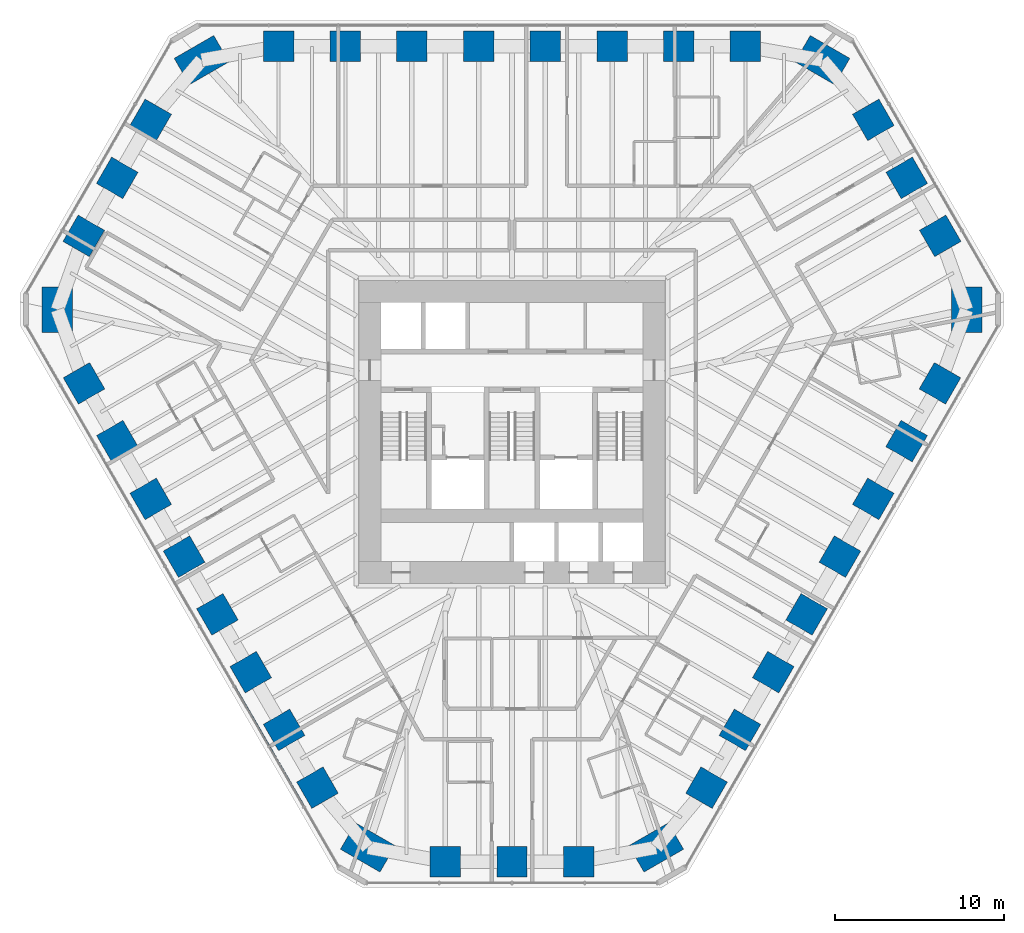
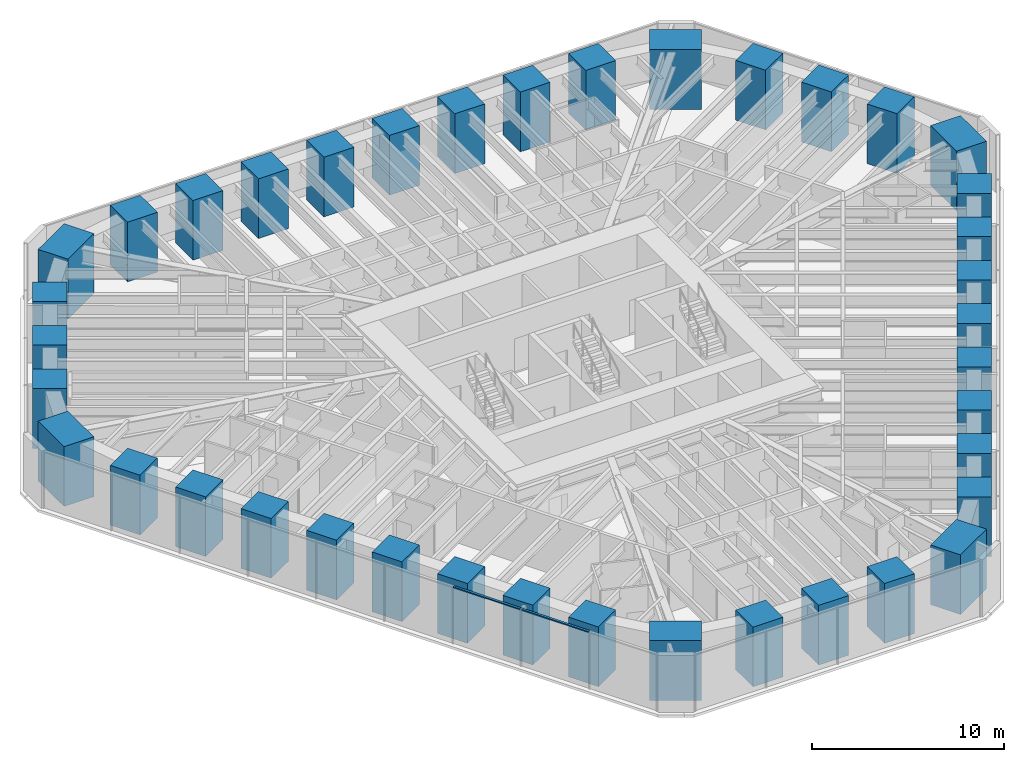
# One storey, part 1 of 16: 39 columns, 2 members, 1 element without a shape of its own.
"""IFC4 building model written with IfcOpenShell, lengths in metres."""

from ifc_helpers import new_model, si_unit, direction, frame, origin, origin_2d, place, context, subcontext, project, spatial, rectangle, extrude, material, material_profile, profile_set, type_object, element, aggregate, save


model = new_model("IFC4")

# Units and contexts
model_context = context("Model", 3, precision=1e-05, world=origin(), true_north=direction((0.0, 1.0)))
body_context = subcontext(model_context, "Body", "Model", "MODEL_VIEW")
ifc_project = project(units=[si_unit("LENGTHUNIT", "METRE"), si_unit("AREAUNIT", "SQUARE_METRE"), si_unit("VOLUMEUNIT", "CUBIC_METRE"), si_unit("PLANEANGLEUNIT", "RADIAN"), si_unit("MASSUNIT", "GRAM", prefix="KILO")], contexts=[model_context])

# Site, building, storey
site_placement = place(None, origin())
site = spatial("IfcSite", under=ifc_project, at=site_placement, CompositionType="ELEMENT")
building_placement = place(site_placement, origin())
building = spatial("IfcBuilding", under=site, at=building_placement, Name="Sandreach Pilgrim Tower", CompositionType="ELEMENT")
storey_placement = place(building_placement, frame((0.0, 0.0, 134.800048828125)))
storey = spatial("IfcBuildingStorey", under=building, at=storey_placement, Name="L33", CompositionType="ELEMENT", Elevation=134.800048828125)

# Columns
ifc_material_1 = material(Name="Concrete 10000 psi", Category="concrete")
ifc_material_profile_1 = material_profile(ifc_material_1, rectangle(XDim=1.800048828125, YDim=1.800048828125, at=origin_2d()), Name="RC1800X1800")
ifc_profile_set_1 = profile_set([ifc_material_profile_1], Name="Concrete 10000 psi")
column_type_1 = type_object("IfcColumnType", Name="Tube column RC1800X1800", PredefinedType="COLUMN", material=ifc_profile_set_1)
for number, where, z_axis, x_axis, name in (
    (1, (-13.789794921875, 21.23388671875, 0.0), (0.0, 0.0, 1.0), (0.0, 1.0, 0.0), "COL L33 T01"),
    (2, (-9.849853515625, 21.23388671875, 0.0), (0.0, 0.0, 1.0), (0.0, 1.0, 0.0), "COL L33 T02"),
    (3, (-5.909912109375, 21.23388671875, 0.0), (0.0, 0.0, 1.0), (0.0, 1.0, 0.0), "COL L33 T03"),
    (4, (-1.969970703125, 21.23388671875, 0.0), (0.0, 0.0, 1.0), (0.0, 1.0, 0.0), "COL L33 T04"),
    (5, (1.969970703125, 21.23388671875, 0.0), (0.0, 0.0, 1.0), (0.0, 1.0, 0.0), "COL L33 T05"),
    (6, (5.909912109375, 21.23388671875, 0.0), (0.0, 0.0, 1.0), (0.0, 1.0, 0.0), "COL L33 T06"),
    (7, (9.849853515625, 21.23388671875, 0.0), (0.0, 0.0, 1.0), (0.0, 1.0, 0.0), "COL L33 T07"),
    (8, (13.789794921875, 21.23388671875, 0.0), (0.0, 0.0, 1.0), (0.0, 1.0, 0.0), "COL L33 T08"),
    (9, (21.346435546875, 16.891357421875, 0.0), (0.0, 0.0, 1.0), (0.866025403784, 0.5, 0.0), "COL L33 T10"),
    (10, (23.323974609375, 13.466064453125, 0.0), (0.0, 0.0, 1.0), (0.866025403784, 0.5, 0.0), "COL L33 T11"),
    (11, (25.301513671875, 10.040771484375, 0.0), (0.0, 0.0, 1.0), (0.866025403784, 0.5, 0.0), "COL L33 T12"),
    (12, (25.283935546875, 1.325439453125, 0.0), (0.0, 0.0, 1.0), (0.866025403784, -0.5, 0.0), "COL L33 T14"),
    (13, (23.31396484375, -2.086669921875, 0.0), (0.0, 0.0, 1.0), (0.866025403784, -0.5, 0.0), "COL L33 T15"),
    (14, (21.343994140625, -5.498779296875, 0.0), (0.0, 0.0, 1.0), (0.866025403784, -0.5, 0.0), "COL L33 T16"),
    (15, (19.3740234375, -8.910888671875, 0.0), (0.0, 0.0, 1.0), (0.866025403784, -0.5, 0.0), "COL L33 T17"),
    (16, (17.404052734375, -12.322998046875, 0.0), (0.0, 0.0, 1.0), (0.866025403784, -0.5, 0.0), "COL L33 T18"),
    (17, (15.43408203125, -15.735107421875, 0.0), (0.0, 0.0, 1.0), (0.866025403784, -0.5, 0.0), "COL L33 T19"),
    (18, (13.464111328125, -19.147216796875, 0.0), (0.0, 0.0, 1.0), (0.866025403784, -0.5, 0.0), "COL L33 T20"),
    (19, (11.494140625, -22.559326171875, 0.0), (0.0, 0.0, 1.0), (0.866025403784, -0.5, 0.0), "COL L33 T21"),
    (20, (3.955322265625, -26.93212890625, 0.0), (0.0, 0.0, 1.0), (0.0, -1.0, 0.0), "COL L33 T23"),
    (21, (0.0, -26.93212890625, 0.0), (0.0, 0.0, 1.0), (0.0, -1.0, 0.0), "COL L33 T24"),
    (22, (-3.955322265625, -26.93212890625, 0.0), (0.0, 0.0, 1.0), (0.0, -1.0, 0.0), "COL L33 T25"),
    (23, (-11.494140625, -22.559326171875, 0.0), (0.0, 0.0, 1.0), (-0.866025403784, -0.5, 0.0), "COL L33 T27"),
    (24, (-13.464111328125, -19.147216796875, 0.0), (0.0, 0.0, 1.0), (-0.866025403784, -0.5, 0.0), "COL L33 T28"),
    (25, (-15.43408203125, -15.735107421875, 0.0), (0.0, 0.0, 1.0), (-0.866025403784, -0.5, 0.0), "COL L33 T29"),
    (26, (-17.404052734375, -12.322998046875, 0.0), (0.0, 0.0, 1.0), (-0.866025403784, -0.5, 0.0), "COL L33 T30"),
    (27, (-19.3740234375, -8.910888671875, 0.0), (0.0, 0.0, 1.0), (-0.866025403784, -0.5, 0.0), "COL L33 T31"),
    (28, (-21.343994140625, -5.498779296875, 0.0), (0.0, 0.0, 1.0), (-0.866025403784, -0.5, 0.0), "COL L33 T32"),
    (29, (-23.31396484375, -2.086669921875, 0.0), (0.0, 0.0, 1.0), (-0.866025403784, -0.5, 0.0), "COL L33 T33"),
    (30, (-25.283935546875, 1.325439453125, 0.0), (0.0, 0.0, 1.0), (-0.866025403784, -0.5, 0.0), "COL L33 T34"),
    (31, (-25.301513671875, 10.040771484375, 0.0), (0.0, 0.0, 1.0), (-0.866025403784, 0.5, 0.0), "COL L33 T36"),
    (32, (-23.323974609375, 13.466064453125, 0.0), (0.0, 0.0, 1.0), (-0.866025403784, 0.5, 0.0), "COL L33 T37"),
    (33, (-21.346435546875, 16.891357421875, 0.0), (0.0, 0.0, 1.0), (-0.866025403784, 0.5, 0.0), "COL L33 T38"),
):
    element("IfcColumn", number, at=place(storey_placement, frame(where, z_axis=z_axis, x_axis=x_axis)), inside=storey, type_object=column_type_1, Name=name, PredefinedType="COLUMN", context=body_context, shape_type="SweptSolid", body=[
        extrude(rectangle(XDim=1.800048828125, YDim=1.800048828125, at=origin_2d()), origin(), (0.0, 0.0, 1.0), 3.800048828125),
    ])
ifc_material_2 = material(Name="Concrete 10000 psi", Category="concrete")
ifc_material_profile_2 = material_profile(ifc_material_2, rectangle(XDim=1.800048828125, YDim=2.699951171875, at=origin_2d()), Name="RC1800X2700")
ifc_profile_set_2 = profile_set([ifc_material_profile_2], Name="Concrete 10000 psi")
column_type_2 = type_object("IfcColumnType", Name="Tube corner pier RC1800X2700", PredefinedType="COLUMN", material=ifc_profile_set_2)
for number, where, z_axis, x_axis, name in (
    (34, (18.33935546875, 20.423828125, 0.0), (0.0, 0.0, 1.0), (0.5, 0.866025403784, 0.0), "COL L33 T09"),
    (35, (26.857177734375, 5.67041015625, 0.0), (0.0, 0.0, 1.0), (1.0, 0.0, 0.0), "COL L33 T13"),
    (36, (8.517822265625, -26.09423828125, 0.0), (0.0, 0.0, 1.0), (0.5, -0.866025403784, 0.0), "COL L33 T22"),
    (37, (-8.517822265625, -26.09423828125, 0.0), (0.0, 0.0, 1.0), (-0.5, -0.866025403784, 0.0), "COL L33 T26"),
    (38, (-26.857177734375, 5.67041015625, 0.0), (0.0, 0.0, 1.0), (-1.0, 0.0, 0.0), "COL L33 T35"),
    (39, (-18.33935546875, 20.423828125, 0.0), (0.0, 0.0, 1.0), (-0.5, 0.866025403784, 0.0), "COL L33 T39"),
):
    element("IfcColumn", number, at=place(storey_placement, frame(where, z_axis=z_axis, x_axis=x_axis)), inside=storey, type_object=column_type_2, Name=name, PredefinedType="COLUMN", context=body_context, shape_type="SweptSolid", body=[
        extrude(rectangle(XDim=1.800048828125, YDim=2.699951171875, at=origin_2d()), origin(), (0.0, 0.0, 1.0), 3.800048828125),
    ])

# Curtain wall, members
ifc_material_3 = material(Name="Aluminium framed curtain wall", Category="aluminium")
curtain_wall_type = type_object("IfcCurtainWallType", Name="Hotel tower curtain wall", PredefinedType="NOTDEFINED", material=ifc_material_3)
curtain_wall_placement = place(storey_placement, origin())
curtain_wall = element("IfcCurtainWall", 40, at=curtain_wall_placement, inside=storey, type_object=curtain_wall_type, Name="CW-2 L33 SW", PredefinedType="NOTDEFINED")
ifc_material_4 = material(Name="Aluminium extrusion", Category="aluminium")
ifc_material_profile_3 = material_profile(ifc_material_4, rectangle(XDim=0.139892578125, YDim=0.070068359375, at=origin_2d()), Name="CW-2T 140X70")
ifc_profile_set_3 = profile_set([ifc_material_profile_3], Name="Aluminium extrusion")
member_type = type_object("IfcMemberType", Name="CW-2 transom", PredefinedType="USERDEFINED", material=ifc_profile_set_3)
member_1_placement = place(storey_placement, frame((-12.309326171875, -23.667236328125, 3.60498046875), z_axis=(-0.500023973715, 0.866011562111, 0.0), x_axis=(-0.866011562111, -0.500023973715, 0.0)))
member_1 = element("IfcMember", 41, at=member_1_placement, type_object=member_type, Name="CW-2 head transom 2", ObjectType="TRANSOM", PredefinedType="USERDEFINED", context=body_context, shape_type="SweptSolid", body=[
    extrude(rectangle(XDim=0.139892578125, YDim=0.070068359375, at=origin_2d()), origin(), (0.0, 0.0, 1.0), 4.041748046875),
])
member_2_placement = place(storey_placement, frame((-14.36279296875, -20.110595703125, 3.60498046875), z_axis=(-0.499997818338, 0.866026663364, 0.0), x_axis=(-0.866026663364, -0.499997818338, 0.0)))
member_2 = element("IfcMember", 42, at=member_2_placement, type_object=member_type, Name="CW-2 head transom 3", ObjectType="TRANSOM", PredefinedType="USERDEFINED", context=body_context, shape_type="SweptSolid", body=[
    extrude(rectangle(XDim=0.139892578125, YDim=0.070068359375, at=origin_2d()), origin(), (0.0, 0.0, 1.0), 4.0419921875),
])
aggregate(curtain_wall, [member_1, member_2])

save(model, "model.ifc")
